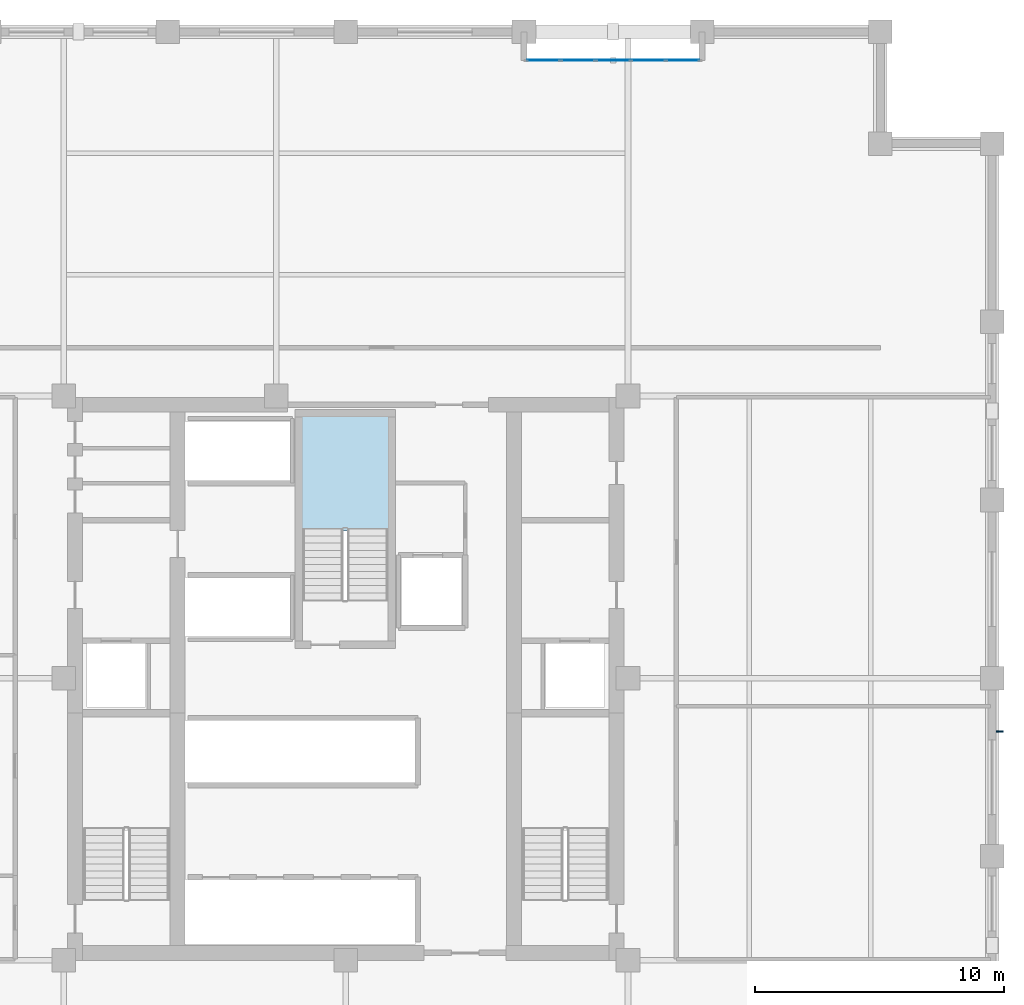
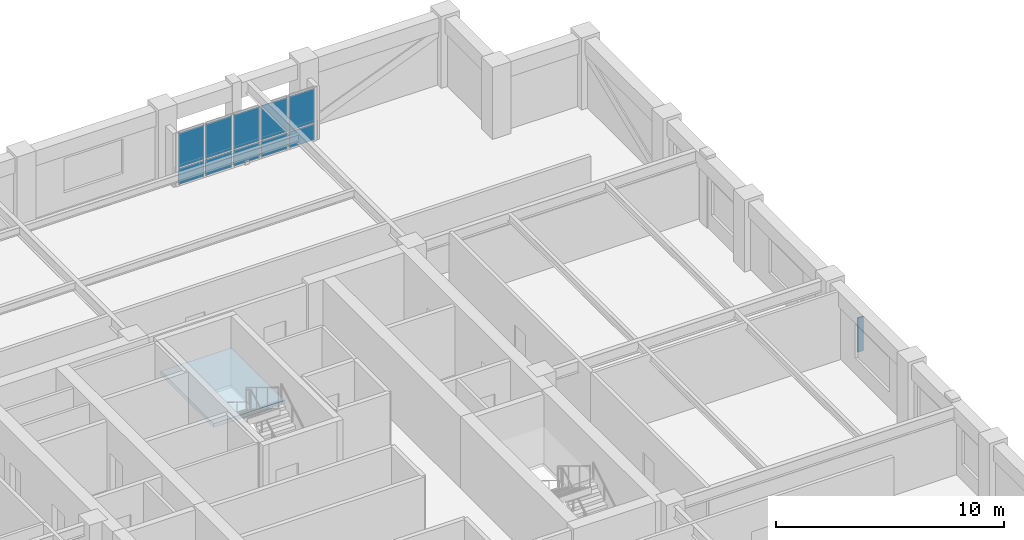
# One storey, part 5 of 11: 11 plates, 1 slab, 2 elements without a shape of their own.
"""IFC4 building model written with IfcOpenShell, lengths in metres."""

from ifc_helpers import new_model, si_unit, direction, frame, origin, origin_2d, place, context, subcontext, project, spatial, polyline, rectangle, outline, extrude, material, layer, layer_set, type_object, element, aggregate, save


model = new_model("IFC4")

# Units and contexts
model_context = context("Model", 3, precision=1e-05, world=origin(), true_north=direction((0.0, 1.0)))
body_context = subcontext(model_context, "Body", "Model", "MODEL_VIEW")
ifc_project = project(units=[si_unit("LENGTHUNIT", "METRE"), si_unit("AREAUNIT", "SQUARE_METRE"), si_unit("VOLUMEUNIT", "CUBIC_METRE"), si_unit("PLANEANGLEUNIT", "RADIAN"), si_unit("MASSUNIT", "GRAM", prefix="KILO")], contexts=[model_context])

# Site, building, storey
site_placement = place(None, origin())
site = spatial("IfcSite", under=ifc_project, at=site_placement, CompositionType="ELEMENT")
building_placement = place(site_placement, origin())
building = spatial("IfcBuilding", under=site, at=building_placement, Name="Nhamokura Convention Tower", CompositionType="ELEMENT")
storey_placement = place(building_placement, frame((0.0, 0.0, 141.39990234375)))
storey = spatial("IfcBuildingStorey", under=building, at=storey_placement, Name="L34", CompositionType="ELEMENT", Elevation=141.39990234375)

# Plate
ifc_material_1 = material(Name="Anodised bronze aluminium AA6063-T6", Category="aluminium")
plate_type_1 = type_object("IfcPlateType", Name="BronzeSolarFin_2", PredefinedType="USERDEFINED", material=ifc_material_1)
plate_1_placement = place(storey_placement, frame((58.300048828125, 29.86669921875, 0.85009765625), z_axis=(0.0, 0.0, 1.0), x_axis=(1.0, 0.0, 0.0)))
element("IfcPlate", 1, at=plate_1_placement, inside=storey, type_object=plate_type_1, Name="L34 Bronze Solar Shading Fin EAST 2", ObjectType="SOLAR_FIN", PredefinedType="USERDEFINED", context=body_context, shape_type="SweptSolid", body=[
    extrude(rectangle(XDim=0.280029296875, YDim=0.06005859375, at=origin_2d()), origin(), (0.0, 0.0, 1.0), 1.8349609375),
])

# Curtain wall, plates
ifc_material_2 = material(Name="Anodised bronze aluminium AA6063-T6", Category="aluminium")
ifc_layer_1 = layer(ifc_material_2, 0.159912109375)
ifc_layer_set_1 = layer_set([ifc_layer_1], Name="CWSystem_ScaleSlot_Zone2")
curtain_wall_type = type_object("IfcCurtainWallType", Name="CWSystem_ScaleSlot_Zone2", PredefinedType="NOTDEFINED", material=ifc_layer_set_1)
curtain_wall_placement = place(storey_placement, origin())
curtain_wall = element("IfcCurtainWall", 2, at=curtain_wall_placement, inside=storey, type_object=curtain_wall_type, Name="L34 Curtain Wall ENV-L34-SLOT-N4", PredefinedType="NOTDEFINED")
ifc_material_3 = material(Name="Solar-control bronze low-E double glass", Category="glass")
ifc_layer_2 = layer(ifc_material_3, 0.035888671875)
ifc_layer_set_2 = layer_set([ifc_layer_2], Name="CWGlazedPanel_2")
plate_type_2 = type_object("IfcPlateType", Name="CWGlazedPanel_2", PredefinedType="CURTAIN_PANEL", material=ifc_layer_set_2)
plate_2_placement = place(storey_placement, frame((39.947509765625, 56.85009765625, 0.065185546875), z_axis=(0.0, 0.0, 1.0), x_axis=(1.0, 0.0, 0.0)))
plate_2 = element("IfcPlate", 3, at=plate_2_placement, type_object=plate_type_2, Name="CW-04 panel 1.1", PredefinedType="CURTAIN_PANEL", context=body_context, shape_type="SweptSolid", body=[
    extrude(rectangle(XDim=1.311767578125, YDim=0.035888671875, at=origin_2d()), origin(), (0.0, 0.0, 1.0), 0.8525390625),
])
plate_3_placement = place(storey_placement, frame((39.947509765625, 56.85009765625, 0.982666015625), z_axis=(0.0, 0.0, 1.0), x_axis=(1.0, 0.0, 0.0)))
plate_3 = element("IfcPlate", 4, at=plate_3_placement, type_object=plate_type_2, Name="CW-04 panel 1.2", PredefinedType="CURTAIN_PANEL", context=body_context, shape_type="SweptSolid", body=[
    extrude(rectangle(XDim=1.311767578125, YDim=0.035888671875, at=origin_2d()), origin(), (0.0, 0.0, 1.0), 1.83740234375),
])
plate_4_placement = place(storey_placement, frame((41.340576171875, 56.85009765625, 0.065185546875), z_axis=(0.0, 0.0, 1.0), x_axis=(1.0, 0.0, 0.0)))
plate_4 = element("IfcPlate", 5, at=plate_4_placement, type_object=plate_type_2, Name="CW-04 panel 2.1", PredefinedType="CURTAIN_PANEL", context=body_context, shape_type="SweptSolid", body=[
    extrude(rectangle(XDim=1.34423828125, YDim=0.035888671875, at=origin_2d()), origin(), (0.0, 0.0, 1.0), 0.8525390625),
])
plate_5_placement = place(storey_placement, frame((41.340576171875, 56.85009765625, 0.982666015625), z_axis=(0.0, 0.0, 1.0), x_axis=(1.0, 0.0, 0.0)))
plate_5 = element("IfcPlate", 6, at=plate_5_placement, type_object=plate_type_2, Name="CW-04 panel 2.2", PredefinedType="CURTAIN_PANEL", context=body_context, shape_type="SweptSolid", body=[
    extrude(rectangle(XDim=1.34423828125, YDim=0.035888671875, at=origin_2d()), origin(), (0.0, 0.0, 1.0), 1.83740234375),
])
plate_6_placement = place(storey_placement, frame((42.75, 56.85009765625, 0.065185546875), z_axis=(0.0, 0.0, 1.0), x_axis=(1.0, 0.0, 0.0)))
plate_6 = element("IfcPlate", 7, at=plate_6_placement, type_object=plate_type_2, Name="CW-04 panel 3.1", PredefinedType="CURTAIN_PANEL", context=body_context, shape_type="SweptSolid", body=[
    extrude(rectangle(XDim=1.34423828125, YDim=0.035888671875, at=origin_2d()), origin(), (0.0, 0.0, 1.0), 0.8525390625),
])
plate_7_placement = place(storey_placement, frame((42.75, 56.85009765625, 0.982666015625), z_axis=(0.0, 0.0, 1.0), x_axis=(1.0, 0.0, 0.0)))
plate_7 = element("IfcPlate", 8, at=plate_7_placement, type_object=plate_type_2, Name="CW-04 panel 3.2", PredefinedType="CURTAIN_PANEL", context=body_context, shape_type="SweptSolid", body=[
    extrude(rectangle(XDim=1.34423828125, YDim=0.035888671875, at=origin_2d()), origin(), (0.0, 0.0, 1.0), 1.83740234375),
])
plate_8_placement = place(storey_placement, frame((44.159423828125, 56.85009765625, 0.065185546875), z_axis=(0.0, 0.0, 1.0), x_axis=(1.0, 0.0, 0.0)))
plate_8 = element("IfcPlate", 9, at=plate_8_placement, type_object=plate_type_2, Name="CW-04 panel 4.1", PredefinedType="CURTAIN_PANEL", context=body_context, shape_type="SweptSolid", body=[
    extrude(rectangle(XDim=1.34423828125, YDim=0.035888671875, at=origin_2d()), origin(), (0.0, 0.0, 1.0), 0.8525390625),
])
plate_9_placement = place(storey_placement, frame((44.159423828125, 56.85009765625, 0.982666015625), z_axis=(0.0, 0.0, 1.0), x_axis=(1.0, 0.0, 0.0)))
plate_9 = element("IfcPlate", 10, at=plate_9_placement, type_object=plate_type_2, Name="CW-04 panel 4.2", PredefinedType="CURTAIN_PANEL", context=body_context, shape_type="SweptSolid", body=[
    extrude(rectangle(XDim=1.34423828125, YDim=0.035888671875, at=origin_2d()), origin(), (0.0, 0.0, 1.0), 1.83740234375),
])
plate_10_placement = place(storey_placement, frame((45.552490234375, 56.85009765625, 0.065185546875), z_axis=(0.0, 0.0, 1.0), x_axis=(1.0, 0.0, 0.0)))
plate_10 = element("IfcPlate", 11, at=plate_10_placement, type_object=plate_type_2, Name="CW-04 panel 5.1", PredefinedType="CURTAIN_PANEL", context=body_context, shape_type="SweptSolid", body=[
    extrude(rectangle(XDim=1.311767578125, YDim=0.035888671875, at=origin_2d()), origin(), (0.0, 0.0, 1.0), 0.8525390625),
])
plate_11_placement = place(storey_placement, frame((45.552490234375, 56.85009765625, 0.982666015625), z_axis=(0.0, 0.0, 1.0), x_axis=(1.0, 0.0, 0.0)))
plate_11 = element("IfcPlate", 12, at=plate_11_placement, type_object=plate_type_2, Name="CW-04 panel 5.2", PredefinedType="CURTAIN_PANEL", context=body_context, shape_type="SweptSolid", body=[
    extrude(rectangle(XDim=1.311767578125, YDim=0.035888671875, at=origin_2d()), origin(), (0.0, 0.0, 1.0), 1.83740234375),
])
aggregate(curtain_wall, [plate_2, plate_3, plate_4, plate_5, plate_6, plate_7, plate_8, plate_9, plate_10, plate_11])

# Stair, slab
ifc_material_4 = material(Name="Concrete C40/50", Category="concrete")
stair_type = type_object("IfcStairType", Name="TowerCoreStair_1650", PredefinedType="HALF_TURN_STAIR", material=ifc_material_4)
stair_placement = place(storey_placement, origin())
stair = element("IfcStair", 13, at=stair_placement, inside=storey, type_object=stair_type, Name="L34 North Core Smokeproof Stair ST-03", PredefinedType="HALF_TURN_STAIR")
ifc_material_5 = material(Name="Concrete C40/50", Category="concrete")
ifc_layer_3 = layer(ifc_material_5, 0.199951171875)
ifc_layer_set_3 = layer_set([ifc_layer_3], Name="StairLandingSlab_200")
slab_type = type_object("IfcSlabType", Name="StairLandingSlab_200", PredefinedType="LANDING", material=ifc_layer_set_3)
slab_placement = place(storey_placement, frame((0.0, 0.0, 1.72509765625)))
slab = element("IfcSlab", 14, at=slab_placement, type_object=slab_type, Name="ST-03 landing 1", PredefinedType="LANDING", context=body_context, shape_type="SweptSolid", body=[
    extrude(outline(polyline([(33.780029296875, 37.919921875), (33.780029296875, 42.580078125), (30.169921875, 42.580078125), (30.169921875, 37.919921875), (33.780029296875, 37.919921875)])), origin(), (0.0, 0.0, 1.0), 0.199951171875),
])
aggregate(stair, [slab])

save(model, "model.ifc")
